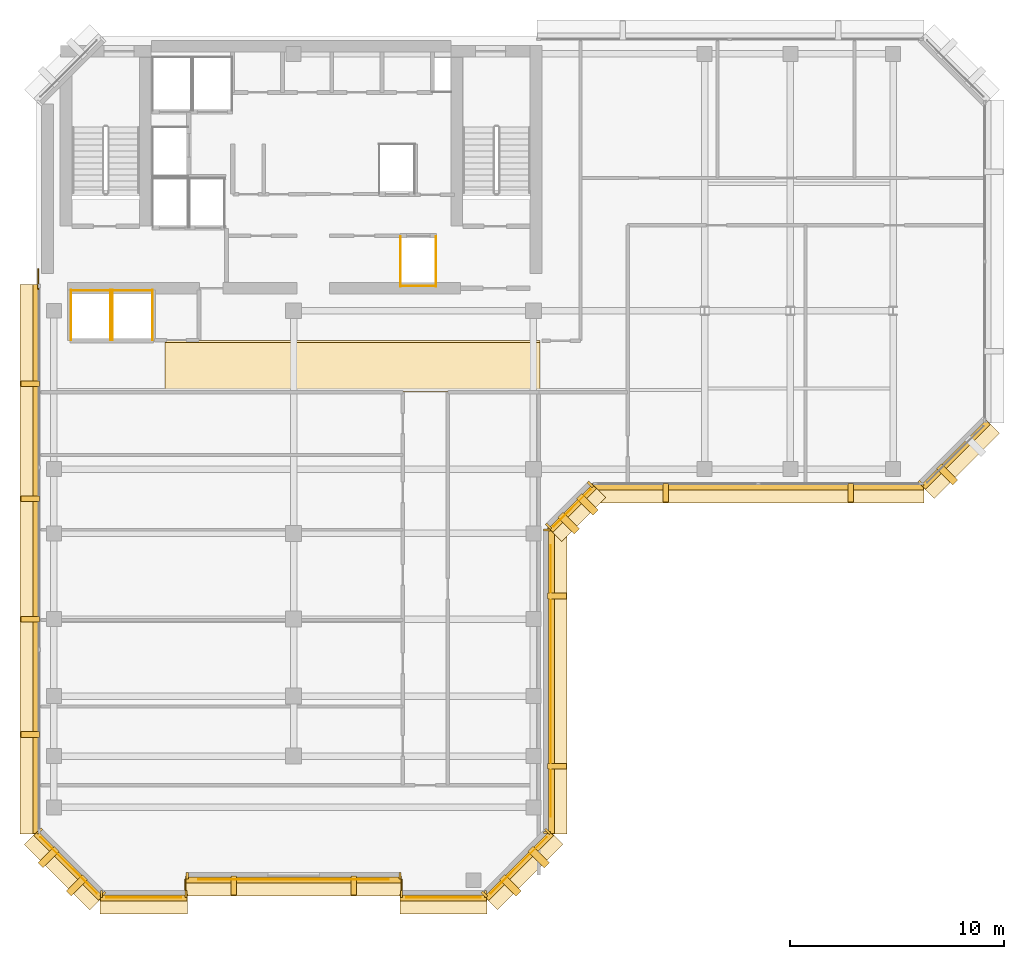
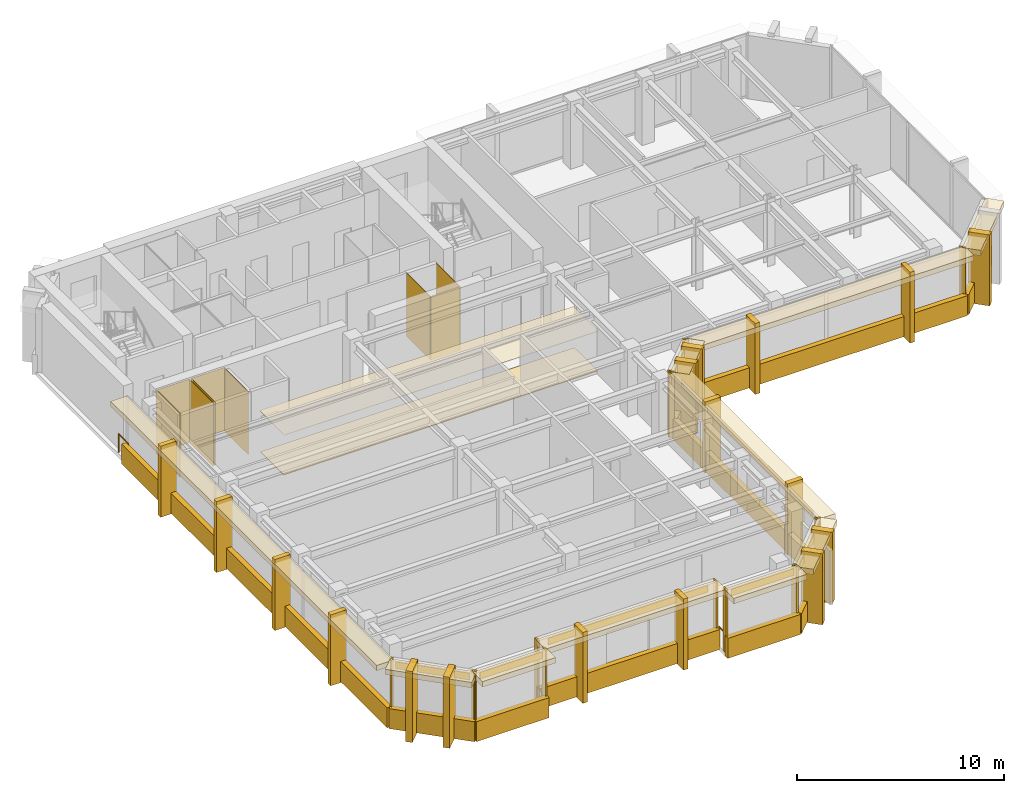
# One storey, part 10 of 13: 70 coverings, 3 railings.
"""IFC4 building model written with IfcOpenShell, lengths in metres."""

import ifcopenshell
import ifcopenshell.guid

model = None  # the IFC model being written
_history = None  # IfcOwnerHistory: only IFC2X3 demands one
_inside = {}  # id of a spatial element -> (the spatial element, [elements in it])
_under = {}  # id of a project, library or spatial element -> (it, [spatial elements below it])
_declared = {}  # id of a project -> (the project, [libraries it declares])
_typed = {}  # id of a type object -> (the type object, [elements of that type])
_made_of = {}  # id of a material, layer set ... -> (it, [elements and type objects made of it])


def new_model(schema):
    """Start an empty IFC model of exactly this schema.

    Asked for "IFC4X3", IfcOpenShell would pick the latest addendum, in which some entities
    have other attributes; the version numbers below select the first issue.
    IFC2X3 requires an IfcOwnerHistory on every rooted entity: one is made here for all.
    """
    global model, _history
    if schema == "IFC4X3":
        model = ifcopenshell.file(schema_version=(4, 3, 0, 0))
    else:
        model = ifcopenshell.file(schema=schema)
    _inside.clear()
    _under.clear()
    _declared.clear()
    _typed.clear()
    _made_of.clear()
    _history = None
    if model.schema == "IFC2X3":
        org = make("IfcOrganization", Name="unknown")
        user = make(
            "IfcPersonAndOrganization",
            ThePerson=make("IfcPerson", FamilyName="unknown"),
            TheOrganization=org,
        )
        app = make(
            "IfcApplication",
            ApplicationDeveloper=org,
            Version="unknown",
            ApplicationFullName="unknown",
            ApplicationIdentifier="unknown",
        )
        _history = make(
            "IfcOwnerHistory",
            OwningUser=user,
            OwningApplication=app,
            ChangeAction="ADDED",
            CreationDate=0,
        )
    return model


def make(cls, **values):
    """One entity of the class cls with the attributes given. An attribute that is None is left unset."""
    return model.create_entity(
        cls, **{name: value for name, value in values.items() if value is not None}
    )


def rooted(cls, **values):
    """An entity with a GlobalId (a new one), such as an element, a storey or a relation."""
    return make(cls, GlobalId=ifcopenshell.guid.new(), OwnerHistory=_history, **values)


def si_unit(unit_type, name, prefix=None):
    """IfcSIUnit, for example si_unit("LENGTHUNIT", "METRE", prefix="MILLI")."""
    return make("IfcSIUnit", UnitType=unit_type, Prefix=prefix, Name=name)


def assignment(units):
    """IfcUnitAssignment: the units of a project."""
    return None if units is None else make("IfcUnitAssignment", Units=units)


def point(xyz):
    """IfcCartesianPoint."""
    return None if xyz is None else make("IfcCartesianPoint", Coordinates=xyz)


def direction(xyz):
    """IfcDirection."""
    return None if xyz is None else make("IfcDirection", DirectionRatios=xyz)


def frame(location, z_axis=None, x_axis=None):
    """IfcAxis2Placement3D, a coordinate frame: its origin and axes. An axis left out is left unset."""
    return make(
        "IfcAxis2Placement3D",
        Location=point(location),
        Axis=direction(z_axis),
        RefDirection=direction(x_axis),
    )


def frame_2d(location, x_axis=None):
    """IfcAxis2Placement2D, a coordinate frame in the plane: its origin and x axis."""
    return make(
        "IfcAxis2Placement2D", Location=point(location), RefDirection=direction(x_axis)
    )


def origin():
    """The frame at (0, 0, 0) with its axes left unset."""
    return frame((0.0, 0.0, 0.0))


def origin_2d():
    """The frame at (0, 0) in the plane with its x axis left unset."""
    return frame_2d((0.0, 0.0))


def place(relative_to, where):
    """IfcLocalPlacement: puts the frame where relative to a parent placement (None: the world)."""
    return make(
        "IfcLocalPlacement", PlacementRelTo=relative_to, RelativePlacement=where
    )


def context(
    kind, dimensions, precision=None, world=None, true_north=None, identifier=None
):
    """IfcGeometricRepresentationContext, for example the 3D "Model" context."""
    return make(
        "IfcGeometricRepresentationContext",
        ContextIdentifier=identifier,
        ContextType=kind,
        CoordinateSpaceDimension=dimensions,
        Precision=precision,
        WorldCoordinateSystem=world,
        TrueNorth=true_north,
    )


def subcontext(parent, identifier, kind, view, scale=None):
    """IfcGeometricRepresentationSubContext, for example "Body" below "Model"."""
    return make(
        "IfcGeometricRepresentationSubContext",
        ContextIdentifier=identifier,
        ContextType=kind,
        ParentContext=parent,
        TargetScale=scale,
        TargetView=view,
    )


def project(units=None, contexts=None):
    """IfcProject with its units and contexts."""
    return rooted(
        "IfcProject",
        Name="project",
        RepresentationContexts=contexts,
        UnitsInContext=assignment(units),
    )


def spatial(cls, under=None, at=None, **own):
    """A site, building, storey or space (cls), placed at a placement, below another one or the project."""
    s = rooted(cls, ObjectPlacement=at, **own)
    if under is not None:
        _under.setdefault(under.id(), (under, []))[1].append(s)
    return s


def polyline(points):
    """IfcPolyline through the points."""
    return make("IfcPolyline", Points=[point(p) for p in points])


def profile(cls, at=None, kind="AREA", **sizes):
    """A parametric profile (cls). Its sizes go by their IFC names, for example OverallWidth=200.0."""
    return make(cls, ProfileType=kind, Position=at, **sizes)


def rectangle(**sizes):
    """IfcRectangleProfileDef."""
    return profile("IfcRectangleProfileDef", **sizes)


def circle(**sizes):
    """IfcCircleProfileDef."""
    return profile("IfcCircleProfileDef", **sizes)


def outline(outer, holes=None, kind="AREA"):
    """IfcArbitraryClosedProfileDef: a profile drawn as a closed curve; with holes, ...WithVoids."""
    if holes is None:
        return make("IfcArbitraryClosedProfileDef", ProfileType=kind, OuterCurve=outer)
    return make(
        "IfcArbitraryProfileDefWithVoids",
        ProfileType=kind,
        OuterCurve=outer,
        InnerCurves=holes,
    )


def extrude(swept, where, along, depth):
    """IfcExtrudedAreaSolid: the profile swept, set in the frame where, extruded along a direction by depth."""
    return make(
        "IfcExtrudedAreaSolid",
        SweptArea=swept,
        Position=where,
        ExtrudedDirection=direction(along),
        Depth=depth,
    )


def shape(context_of_items, identifier, shape_type, items):
    """IfcShapeRepresentation: the items that make up one representation, for example the "Body"."""
    return make(
        "IfcShapeRepresentation",
        ContextOfItems=context_of_items,
        RepresentationIdentifier=identifier,
        RepresentationType=shape_type,
        Items=items,
    )


def material(Name=None, Category=None):
    """IfcMaterial."""
    return make("IfcMaterial", Name=Name, Category=Category)


def layer(
    of_material, thickness, ventilated=None, Name=None, Category=None, Priority=None
):
    """IfcMaterialLayer: one layer of a wall or slab, of a material (None: an air gap)."""
    return make(
        "IfcMaterialLayer",
        Material=of_material,
        LayerThickness=thickness,
        IsVentilated=ventilated,
        Name=Name,
        Category=Category,
        Priority=Priority,
    )


def layer_set(layers, Name=None):
    """IfcMaterialLayerSet."""
    return make("IfcMaterialLayerSet", MaterialLayers=layers, LayerSetName=Name)


def made_of(thing, what):
    """Note that an element or type object is made of a material, layer set ...; save() writes the relation."""
    if what is not None:
        _made_of.setdefault(what.id(), (what, []))[1].append(thing)
    return thing


def type_object(cls, material=None, **own):
    """A type object (cls), such as IfcWallType, which elements share."""
    return made_of(rooted(cls, **own), material)


def element(
    cls,
    number,
    at=None,
    inside=None,
    cuts=None,
    type_object=None,
    material=None,
    context=None,
    identifier="Body",
    shape_type=None,
    held_by="IfcProductDefinitionShape",
    body=None,
    shapes=None,
    **own,
):
    """One element of the class cls, such as IfcWall. Its Tag is "e" and its number.

    at: its placement. inside: the storey or other place that contains it. cuts: it is an
    opening in that element (IfcRelVoidsElement). A single representation is given by context,
    identifier, shape_type and body (its items); several are given by shapes. held_by: the class
    of the entity that holds the representations. save() writes the other relations.
    """
    e = rooted(cls, Tag="e%d" % number, ObjectPlacement=at, **own)
    if body is not None:
        shapes = [shape(context, identifier, shape_type, body)]
    if shapes is not None:
        e.Representation = make(held_by, Representations=shapes)
    if inside is not None:
        _inside.setdefault(inside.id(), (inside, []))[1].append(e)
    if cuts is not None:
        rooted(
            "IfcRelVoidsElement", RelatingBuildingElement=cuts, RelatedOpeningElement=e
        )
    if type_object is not None:
        _typed.setdefault(type_object.id(), (type_object, []))[1].append(e)
    return made_of(e, material)


def aggregate(whole, parts):
    """IfcRelAggregates: a whole, such as a stair, and the parts it consists of."""
    return rooted("IfcRelAggregates", RelatingObject=whole, RelatedObjects=parts)


def save(model, path):
    """Write the relations noted so far, then the file.

    IfcRelAggregates (storeys below a building ...), IfcRelContainedInSpatialStructure (elements
    in a storey), IfcRelDefinesByType, IfcRelAssociatesMaterial and IfcRelDeclares: one each for
    every whole, place, type object, material and project.
    """
    for whole, parts in _under.values():
        aggregate(whole, parts)
    for where, things in _inside.values():
        rooted(
            "IfcRelContainedInSpatialStructure",
            RelatedElements=things,
            RelatingStructure=where,
        )
    for kind, things in _typed.values():
        rooted("IfcRelDefinesByType", RelatedObjects=things, RelatingType=kind)
    for what, things in _made_of.values():
        rooted("IfcRelAssociatesMaterial", RelatedObjects=things, RelatingMaterial=what)
    for by, libraries in _declared.values():
        rooted("IfcRelDeclares", RelatingContext=by, RelatedDefinitions=libraries)
    model.write(path)


model = new_model("IFC4")

# Units and contexts
model_context = context("Model", 3, precision=1e-05, world=origin(), true_north=direction((0.0, 1.0)))
body_context = subcontext(model_context, "Body", "Model", "MODEL_VIEW")
ifc_project = project(units=[si_unit("LENGTHUNIT", "METRE"), si_unit("AREAUNIT", "SQUARE_METRE"), si_unit("VOLUMEUNIT", "CUBIC_METRE"), si_unit("PLANEANGLEUNIT", "RADIAN"), si_unit("MASSUNIT", "GRAM", prefix="KILO")], contexts=[model_context])

# Site, building, storey
site_placement = place(None, origin())
site = spatial("IfcSite", under=ifc_project, at=site_placement, CompositionType="ELEMENT")
building_placement = place(site_placement, origin())
building = spatial("IfcBuilding", under=site, at=building_placement, Name="Kefirva Bronze Tower", CompositionType="ELEMENT")
storey_placement = place(building_placement, frame((0.0, 0.0, 311.85009765625)))
storey = spatial("IfcBuildingStorey", under=building, at=storey_placement, Name="L76", CompositionType="ELEMENT", Elevation=311.85009765625)

# Coverings
ifc_material_1 = material(Name="Acoustic mineral tile")
ifc_layer_1 = layer(ifc_material_1, 0.02490234375, Name="Acoustic mineral tile")
ifc_layer_set_1 = layer_set([ifc_layer_1], Name="Acoustic mineral tile")
covering_type_1 = type_object("IfcCoveringType", Name="Acoustic Mineral Suspended Ceiling 25mm", PredefinedType="CEILING", material=ifc_layer_set_1)
covering_1_placement = place(storey_placement, frame((0.0, 0.0, 2.39990234375)))
element("IfcCovering", 1, at=covering_1_placement, inside=storey, type_object=covering_type_1, Name="L76 Corridor Acoustic Ceiling", PredefinedType="CEILING", context=body_context, shape_type="SweptSolid", body=[
    extrude(outline(polyline([(6.0, 29.39990234375), (23.5, 29.39990234375), (23.5, 31.800048828125), (6.0, 31.800048828125), (6.0, 29.39990234375)])), origin(), (0.0, 0.0, 1.0), 0.02490234375),
])
ifc_material_2 = material(Name="Bronze anodised aluminium", Category="aluminium")
ifc_layer_2 = layer(ifc_material_2, 0.02001953125, Name="Bronze anodised aluminium")
ifc_layer_set_2 = layer_set([ifc_layer_2], Name="Bronze anodised aluminium")
covering_type_2 = type_object("IfcCoveringType", Name="Anodised Bronze Spandrel Cladding 20mm", PredefinedType="CLADDING", material=ifc_layer_set_2)
covering_2_placement = place(storey_placement, frame((5.0, 5.7900390625, 3.320068359375), z_axis=(0.0, 0.0, 1.0), x_axis=(1.0, 0.0, 0.0)))
element("IfcCovering", 2, at=covering_2_placement, inside=storey, type_object=covering_type_2, Name="L76 Bronze Spandrel Cladding 1", PredefinedType="CLADDING", context=body_context, shape_type="SweptSolid", body=[
    extrude(rectangle(XDim=3.5009765625, YDim=0.02001953125, at=origin_2d()), origin(), (0.0, 0.0, 1.0), 0.39990234375),
])
for number, where, z_axis, x_axis, name in (
    (3, (3.034912109375, 5.9599609375, 0.0), (0.0, 0.0, 1.0), (1.0, 0.0, 0.0), "L76 Facade Joint Closure Panel 1S"),
    (4, (6.965087890625, 5.9599609375, 0.0), (0.0, 0.0, 1.0), (1.0, 0.0, 0.0), "L76 Facade Joint Closure Panel 1E"),
):
    element("IfcCovering", number, at=place(storey_placement, frame(where, z_axis=z_axis, x_axis=x_axis)), inside=storey, type_object=covering_type_2, Name=name, PredefinedType="CLADDING", context=body_context, shape_type="SweptSolid", body=[
        extrude(rectangle(XDim=0.10009765625, YDim=0.320068359375, at=origin_2d()), origin(), (0.0, 0.0, 1.0), 3.739990234375),
    ])
covering_3_placement = place(storey_placement, frame((5.0, 5.760009765625, -0.16015625), z_axis=(0.0, 0.0, 1.0), x_axis=(1.0, 0.0, 0.0)))
element("IfcCovering", 5, at=covering_3_placement, inside=storey, type_object=covering_type_2, Name="L76 Streamline Horizontal Spandrel Band 0", PredefinedType="CLADDING", context=body_context, shape_type="SweptSolid", body=[
    extrude(rectangle(XDim=4.0400390625, YDim=0.280029296875, at=origin_2d()), origin(), (0.0, 0.0, 1.0), 1.179931640625),
])
covering_4_placement = place(storey_placement, frame((12.0, 6.639892578125, 3.320068359375), z_axis=(0.0, 0.0, 1.0), x_axis=(1.0, 0.0, 0.0)))
element("IfcCovering", 6, at=covering_4_placement, inside=storey, type_object=covering_type_2, Name="L76 Bronze Spandrel Cladding 2", PredefinedType="CLADDING", context=body_context, shape_type="SweptSolid", body=[
    extrude(rectangle(XDim=8.90087890625, YDim=0.02001953125, at=origin_2d()), origin(), (0.0, 0.0, 1.0), 0.39990234375),
])
for number, where, z_axis, x_axis, name in (
    (7, (7.034912109375, 6.81005859375, 0.0), (0.0, 0.0, 1.0), (1.0, 0.0, 0.0), "L76 Facade Joint Closure Panel 2S"),
    (8, (16.965087890625, 6.81005859375, 0.0), (0.0, 0.0, 1.0), (1.0, 0.0, 0.0), "L76 Facade Joint Closure Panel 2E"),
):
    element("IfcCovering", number, at=place(storey_placement, frame(where, z_axis=z_axis, x_axis=x_axis)), inside=storey, type_object=covering_type_2, Name=name, PredefinedType="CLADDING", context=body_context, shape_type="SweptSolid", body=[
        extrude(rectangle(XDim=0.10009765625, YDim=0.320068359375, at=origin_2d()), origin(), (0.0, 0.0, 1.0), 3.739990234375),
    ])
covering_5_placement = place(storey_placement, frame((12.0, 6.610107421875, -0.16015625), z_axis=(0.0, 0.0, 1.0), x_axis=(1.0, 0.0, 0.0)))
element("IfcCovering", 9, at=covering_5_placement, inside=storey, type_object=covering_type_2, Name="L76 Streamline Horizontal Spandrel Band 2", PredefinedType="CLADDING", context=body_context, shape_type="SweptSolid", body=[
    extrude(rectangle(XDim=10.0400390625, YDim=0.280029296875, at=origin_2d()), origin(), (0.0, 0.0, 1.0), 1.179931640625),
])
covering_6_placement = place(storey_placement, frame((19.0, 5.7900390625, 3.320068359375), z_axis=(0.0, 0.0, 1.0), x_axis=(1.0, 0.0, 0.0)))
element("IfcCovering", 10, at=covering_6_placement, inside=storey, type_object=covering_type_2, Name="L76 Bronze Spandrel Cladding 3", PredefinedType="CLADDING", context=body_context, shape_type="SweptSolid", body=[
    extrude(rectangle(XDim=3.5009765625, YDim=0.02001953125, at=origin_2d()), origin(), (0.0, 0.0, 1.0), 0.39990234375),
])
for number, where, z_axis, x_axis, name in (
    (11, (17.034912109375, 5.9599609375, 0.0), (0.0, 0.0, 1.0), (1.0, 0.0, 0.0), "L76 Facade Joint Closure Panel 3S"),
    (12, (20.965087890625, 5.9599609375, 0.0), (0.0, 0.0, 1.0), (1.0, 0.0, 0.0), "L76 Facade Joint Closure Panel 3E"),
):
    element("IfcCovering", number, at=place(storey_placement, frame(where, z_axis=z_axis, x_axis=x_axis)), inside=storey, type_object=covering_type_2, Name=name, PredefinedType="CLADDING", context=body_context, shape_type="SweptSolid", body=[
        extrude(rectangle(XDim=0.10009765625, YDim=0.320068359375, at=origin_2d()), origin(), (0.0, 0.0, 1.0), 3.739990234375),
    ])
covering_7_placement = place(storey_placement, frame((19.0, 5.760009765625, -0.16015625), z_axis=(0.0, 0.0, 1.0), x_axis=(1.0, 0.0, 0.0)))
element("IfcCovering", 13, at=covering_7_placement, inside=storey, type_object=covering_type_2, Name="L76 Streamline Horizontal Spandrel Band 4", PredefinedType="CLADDING", context=body_context, shape_type="SweptSolid", body=[
    extrude(rectangle(XDim=4.0400390625, YDim=0.280029296875, at=origin_2d()), origin(), (0.0, 0.0, 1.0), 1.179931640625),
])
covering_8_placement = place(storey_placement, frame((22.507080078125, 7.29296875, 3.320068359375), z_axis=(0.0, 0.0, 1.0), x_axis=(0.707106781187, 0.707106781187, 0.0)))
element("IfcCovering", 14, at=covering_8_placement, inside=storey, type_object=covering_type_2, Name="L76 Bronze Spandrel Cladding 4", PredefinedType="CLADDING", context=body_context, shape_type="SweptSolid", body=[
    extrude(rectangle(XDim=3.719482421875, YDim=0.02001953125, at=origin_2d()), origin(), (0.0, 0.0, 1.0), 0.39990234375),
])
for number, where, z_axis, x_axis, name in (
    (15, (20.91162109375, 5.93798828125, 0.0), (0.0, 0.0, 1.0), (0.707106781187, 0.707106781187, 0.0), "L76 Facade Joint Closure Panel 4S"),
    (16, (23.862060546875, 8.88818359375, 0.0), (0.0, 0.0, 1.0), (0.707106781187, 0.707106781187, 0.0), "L76 Facade Joint Closure Panel 4E"),
):
    element("IfcCovering", number, at=place(storey_placement, frame(where, z_axis=z_axis, x_axis=x_axis)), inside=storey, type_object=covering_type_2, Name=name, PredefinedType="CLADDING", context=body_context, shape_type="SweptSolid", body=[
        extrude(rectangle(XDim=0.10009765625, YDim=0.320068359375, at=origin_2d()), origin(), (0.0, 0.0, 1.0), 3.739990234375),
    ])
covering_9_placement = place(storey_placement, frame((22.5283203125, 7.271728515625, -0.16015625), z_axis=(0.0, 0.0, 1.0), x_axis=(0.707106781187, 0.707106781187, 0.0)))
element("IfcCovering", 17, at=covering_9_placement, inside=storey, type_object=covering_type_2, Name="L76 Streamline Horizontal Spandrel Band 5", PredefinedType="CLADDING", context=body_context, shape_type="SweptSolid", body=[
    extrude(rectangle(XDim=4.28271484375, YDim=0.280029296875, at=origin_2d()), origin(), (0.0, 0.0, 1.0), 1.179931640625),
])
covering_10_placement = place(storey_placement, frame((24.010009765625, 15.89990234375, 3.320068359375), z_axis=(0.0, 0.0, 1.0), x_axis=(0.0, 1.0, 0.0)))
element("IfcCovering", 18, at=covering_10_placement, inside=storey, type_object=covering_type_2, Name="L76 Bronze Spandrel Cladding 5", PredefinedType="CLADDING", context=body_context, shape_type="SweptSolid", body=[
    extrude(rectangle(XDim=12.680908203125, YDim=0.02001953125, at=origin_2d()), origin(), (0.0, 0.0, 1.0), 0.39990234375),
])
for number, where, z_axis, x_axis, name in (
    (19, (23.840087890625, 8.8349609375, 0.0), (0.0, 0.0, 1.0), (0.0, 1.0, 0.0), "L76 Facade Joint Closure Panel 5S"),
    (20, (23.840087890625, 22.965087890625, 0.0), (0.0, 0.0, 1.0), (0.0, 1.0, 0.0), "L76 Facade Joint Closure Panel 5E"),
):
    element("IfcCovering", number, at=place(storey_placement, frame(where, z_axis=z_axis, x_axis=x_axis)), inside=storey, type_object=covering_type_2, Name=name, PredefinedType="CLADDING", context=body_context, shape_type="SweptSolid", body=[
        extrude(rectangle(XDim=0.10009765625, YDim=0.320068359375, at=origin_2d()), origin(), (0.0, 0.0, 1.0), 3.739990234375),
    ])
covering_11_placement = place(storey_placement, frame((24.0400390625, 15.89990234375, -0.16015625), z_axis=(0.0, 0.0, 1.0), x_axis=(0.0, 1.0, 0.0)))
element("IfcCovering", 21, at=covering_11_placement, inside=storey, type_object=covering_type_2, Name="L76 Streamline Horizontal Spandrel Band 6", PredefinedType="CLADDING", context=body_context, shape_type="SweptSolid", body=[
    extrude(rectangle(XDim=14.239990234375, YDim=0.280029296875, at=origin_2d()), origin(), (0.0, 0.0, 1.0), 1.179931640625),
])
covering_12_placement = place(storey_placement, frame((25.007080078125, 23.992919921875, 3.320068359375), z_axis=(0.0, 0.0, 1.0), x_axis=(0.707106781187, 0.707106781187, 0.0)))
element("IfcCovering", 22, at=covering_12_placement, inside=storey, type_object=covering_type_2, Name="L76 Bronze Spandrel Cladding 6", PredefinedType="CLADDING", context=body_context, shape_type="SweptSolid", body=[
    extrude(rectangle(XDim=2.446533203125, YDim=0.02001953125, at=origin_2d()), origin(), (0.0, 0.0, 1.0), 0.39990234375),
])
for number, where, z_axis, x_axis, name in (
    (23, (23.91162109375, 23.137939453125, 0.0), (0.0, 0.0, 1.0), (0.707106781187, 0.707106781187, 0.0), "L76 Facade Joint Closure Panel 6S"),
    (24, (25.862060546875, 25.08837890625, 0.0), (0.0, 0.0, 1.0), (0.707106781187, 0.707106781187, 0.0), "L76 Facade Joint Closure Panel 6E"),
):
    element("IfcCovering", number, at=place(storey_placement, frame(where, z_axis=z_axis, x_axis=x_axis)), inside=storey, type_object=covering_type_2, Name=name, PredefinedType="CLADDING", context=body_context, shape_type="SweptSolid", body=[
        extrude(rectangle(XDim=0.10009765625, YDim=0.320068359375, at=origin_2d()), origin(), (0.0, 0.0, 1.0), 3.739990234375),
    ])
covering_13_placement = place(storey_placement, frame((25.0283203125, 23.9716796875, -0.16015625), z_axis=(0.0, 0.0, 1.0), x_axis=(0.707106781187, 0.707106781187, 0.0)))
element("IfcCovering", 25, at=covering_13_placement, inside=storey, type_object=covering_type_2, Name="L76 Streamline Horizontal Spandrel Band 7", PredefinedType="CLADDING", context=body_context, shape_type="SweptSolid", body=[
    extrude(rectangle(XDim=2.868408203125, YDim=0.280029296875, at=origin_2d()), origin(), (0.0, 0.0, 1.0), 1.179931640625),
])
covering_14_placement = place(storey_placement, frame((33.699951171875, 24.9599609375, -0.16015625), z_axis=(0.0, 0.0, 1.0), x_axis=(1.0, 0.0, 0.0)))
element("IfcCovering", 26, at=covering_14_placement, inside=storey, type_object=covering_type_2, Name="L76 Streamline Horizontal Spandrel Band 8", PredefinedType="CLADDING", context=body_context, shape_type="SweptSolid", body=[
    extrude(rectangle(XDim=15.43994140625, YDim=0.280029296875, at=origin_2d()), origin(), (0.0, 0.0, 1.0), 1.179931640625),
])
covering_15_placement = place(storey_placement, frame((41.311767578125, 25.137939453125, 0.0), z_axis=(0.0, 0.0, 1.0), x_axis=(0.707106781187, 0.707106781187, 0.0)))
element("IfcCovering", 27, at=covering_15_placement, inside=storey, type_object=covering_type_2, Name="L76 Facade Joint Closure Panel 7S", PredefinedType="CLADDING", context=body_context, shape_type="SweptSolid", body=[
    extrude(rectangle(XDim=0.10009765625, YDim=0.320068359375, at=origin_2d()), origin(), (0.0, 0.0, 1.0), 3.739990234375),
])
covering_16_placement = place(storey_placement, frame((42.92822265625, 26.4716796875, -0.16015625), z_axis=(0.0, 0.0, 1.0), x_axis=(0.707106781187, 0.707106781187, 0.0)))
element("IfcCovering", 28, at=covering_16_placement, inside=storey, type_object=covering_type_2, Name="L76 Streamline Horizontal Spandrel Band 9", PredefinedType="CLADDING", context=body_context, shape_type="SweptSolid", body=[
    extrude(rectangle(XDim=4.28271484375, YDim=0.280029296875, at=origin_2d()), origin(), (0.0, 0.0, 1.0), 1.179931640625),
])
covering_17_placement = place(storey_placement, frame((-0.0400390625, 21.597412109375, -0.16015625), z_axis=(0.0, 0.0, 1.0), x_axis=(0.0, -1.0, 0.0)))
element("IfcCovering", 29, at=covering_17_placement, inside=storey, type_object=covering_type_2, Name="L76 Streamline Horizontal Spandrel Band 14", PredefinedType="CLADDING", context=body_context, shape_type="SweptSolid", body=[
    extrude(rectangle(XDim=25.635009765625, YDim=0.280029296875, at=origin_2d()), origin(), (0.0, 0.0, 1.0), 1.179931640625),
])
covering_18_placement = place(storey_placement, frame((1.492919921875, 7.29296875, 3.320068359375), z_axis=(0.0, 0.0, 1.0), x_axis=(0.707106781187, -0.707106781187, 0.0)))
element("IfcCovering", 30, at=covering_18_placement, inside=storey, type_object=covering_type_2, Name="L76 Bronze Spandrel Cladding 10", PredefinedType="CLADDING", context=body_context, shape_type="SweptSolid", body=[
    extrude(rectangle(XDim=3.719482421875, YDim=0.02001953125, at=origin_2d()), origin(), (0.0, 0.0, 1.0), 0.39990234375),
])
for number, where, z_axis, x_axis, name in (
    (31, (0.137939453125, 8.88818359375, 0.0), (0.0, 0.0, 1.0), (0.707106781187, -0.707106781187, 0.0), "L76 Facade Joint Closure Panel 10S"),
    (32, (3.08837890625, 5.93798828125, 0.0), (0.0, 0.0, 1.0), (0.707106781187, -0.707106781187, 0.0), "L76 Facade Joint Closure Panel 10E"),
):
    element("IfcCovering", number, at=place(storey_placement, frame(where, z_axis=z_axis, x_axis=x_axis)), inside=storey, type_object=covering_type_2, Name=name, PredefinedType="CLADDING", context=body_context, shape_type="SweptSolid", body=[
        extrude(rectangle(XDim=0.10009765625, YDim=0.320068359375, at=origin_2d()), origin(), (0.0, 0.0, 1.0), 3.739990234375),
    ])
covering_19_placement = place(storey_placement, frame((1.4716796875, 7.271728515625, -0.16015625), z_axis=(0.0, 0.0, 1.0), x_axis=(0.707106781187, -0.707106781187, 0.0)))
element("IfcCovering", 33, at=covering_19_placement, inside=storey, type_object=covering_type_2, Name="L76 Streamline Horizontal Spandrel Band 15", PredefinedType="CLADDING", context=body_context, shape_type="SweptSolid", body=[
    extrude(rectangle(XDim=4.28271484375, YDim=0.280029296875, at=origin_2d()), origin(), (0.0, 0.0, 1.0), 1.179931640625),
])
covering_20_placement = place(storey_placement, origin())
element("IfcCovering", 34, at=covering_20_placement, inside=storey, type_object=covering_type_2, Name="L76 Lift OB1 Hoistway Liner N", PredefinedType="CLADDING", context=body_context, shape_type="SweptSolid", body=[
    extrude(outline(polyline([(1.580078125, 34.139892578125), (3.469970703125, 34.139892578125), (3.469970703125, 34.159912109375), (1.580078125, 34.159912109375), (1.580078125, 34.139892578125)])), origin(), (0.0, 0.0, 1.0), 3.739990234375),
])
covering_21_placement = place(storey_placement, origin())
element("IfcCovering", 35, at=covering_21_placement, inside=storey, type_object=covering_type_2, Name="L76 Lift OB1 Hoistway Liner W", PredefinedType="CLADDING", context=body_context, shape_type="SweptSolid", body=[
    extrude(outline(polyline([(1.590087890625, 31.830078125), (1.610107421875, 31.830078125), (1.610107421875, 34.169921875), (1.590087890625, 34.169921875), (1.590087890625, 31.830078125)])), origin(), (0.0, 0.0, 1.0), 3.739990234375),
])
covering_22_placement = place(storey_placement, origin())
element("IfcCovering", 36, at=covering_22_placement, inside=storey, type_object=covering_type_2, Name="L76 Lift OB1 Hoistway Liner E", PredefinedType="CLADDING", context=body_context, shape_type="SweptSolid", body=[
    extrude(outline(polyline([(3.43994140625, 31.830078125), (3.4599609375, 31.830078125), (3.4599609375, 34.169921875), (3.43994140625, 34.169921875), (3.43994140625, 31.830078125)])), origin(), (0.0, 0.0, 1.0), 3.739990234375),
])
covering_23_placement = place(storey_placement, origin())
element("IfcCovering", 37, at=covering_23_placement, inside=storey, type_object=covering_type_2, Name="L76 Lift OB2 Hoistway Liner N", PredefinedType="CLADDING", context=body_context, shape_type="SweptSolid", body=[
    extrude(outline(polyline([(3.530029296875, 34.139892578125), (5.419921875, 34.139892578125), (5.419921875, 34.159912109375), (3.530029296875, 34.159912109375), (3.530029296875, 34.139892578125)])), origin(), (0.0, 0.0, 1.0), 3.739990234375),
])
covering_24_placement = place(storey_placement, origin())
element("IfcCovering", 38, at=covering_24_placement, inside=storey, type_object=covering_type_2, Name="L76 Lift OB2 Hoistway Liner W", PredefinedType="CLADDING", context=body_context, shape_type="SweptSolid", body=[
    extrude(outline(polyline([(3.5400390625, 31.830078125), (3.56005859375, 31.830078125), (3.56005859375, 34.169921875), (3.5400390625, 34.169921875), (3.5400390625, 31.830078125)])), origin(), (0.0, 0.0, 1.0), 3.739990234375),
])
covering_25_placement = place(storey_placement, origin())
element("IfcCovering", 39, at=covering_25_placement, inside=storey, type_object=covering_type_2, Name="L76 Lift OB2 Hoistway Liner E", PredefinedType="CLADDING", context=body_context, shape_type="SweptSolid", body=[
    extrude(outline(polyline([(5.389892578125, 31.830078125), (5.409912109375, 31.830078125), (5.409912109375, 34.169921875), (5.389892578125, 34.169921875), (5.389892578125, 31.830078125)])), origin(), (0.0, 0.0, 1.0), 3.739990234375),
])
covering_26_placement = place(storey_placement, origin())
element("IfcCovering", 40, at=covering_26_placement, inside=storey, type_object=covering_type_2, Name="L76 Lift HP1 Hoistway Liner S", PredefinedType="CLADDING", context=body_context, shape_type="SweptSolid", body=[
    extrude(outline(polyline([(16.97998046875, 34.340087890625), (18.669921875, 34.340087890625), (18.669921875, 34.360107421875), (16.97998046875, 34.360107421875), (16.97998046875, 34.340087890625)])), origin(), (0.0, 0.0, 1.0), 3.739990234375),
])
covering_27_placement = place(storey_placement, origin())
element("IfcCovering", 41, at=covering_27_placement, inside=storey, type_object=covering_type_2, Name="L76 Lift HP1 Hoistway Liner W", PredefinedType="CLADDING", context=body_context, shape_type="SweptSolid", body=[
    extrude(outline(polyline([(16.989990234375, 34.330078125), (17.010009765625, 34.330078125), (17.010009765625, 36.669921875), (16.989990234375, 36.669921875), (16.989990234375, 34.330078125)])), origin(), (0.0, 0.0, 1.0), 3.739990234375),
])
covering_28_placement = place(storey_placement, origin())
element("IfcCovering", 42, at=covering_28_placement, inside=storey, type_object=covering_type_2, Name="L76 Lift HP1 Hoistway Liner E", PredefinedType="CLADDING", context=body_context, shape_type="SweptSolid", body=[
    extrude(outline(polyline([(18.639892578125, 34.330078125), (18.659912109375, 34.330078125), (18.659912109375, 36.669921875), (18.639892578125, 36.669921875), (18.639892578125, 34.330078125)])), origin(), (0.0, 0.0, 1.0), 3.739990234375),
])

# Railings
ifc_material_3 = material(Name="Stainless steel 316", Category="steel")
railing_type = type_object("IfcRailingType", Name="Interior Stair Guardrail 1100mm", PredefinedType="GUARDRAIL", material=ifc_material_3)
railing_1_placement = place(storey_placement, frame((0.080078125, 34.199951171875, 0.0)))
element("IfcRailing", 43, at=railing_1_placement, inside=storey, type_object=railing_type, Name="L76 West Core Junction Guardrail", PredefinedType="GUARDRAIL", context=body_context, shape_type="SweptSolid", body=[
    extrude(circle(Radius=0.02392578125, at=origin_2d()), frame((0.0, 0.0, 1.076171875), z_axis=(0.0, 1.0, 0.0), x_axis=(-1.0, 0.0, 0.0)), (0.0, 0.0, 1.0), 0.949951171875),
    extrude(circle(Radius=0.02099609375, at=origin_2d()), origin(), (0.0, 0.0, 1.0), 1.052001953125),
    extrude(circle(Radius=0.02099609375, at=origin_2d()), frame((0.0, 0.949951171875, 0.0)), (0.0, 0.0, 1.0), 1.052001953125),
])
railing_2_placement = place(storey_placement, frame((17.06005859375, 6.14990234375, 0.0)))
element("IfcRailing", 44, at=railing_2_placement, inside=storey, type_object=railing_type, Name="L76 Setback Corner Guardrail SB1", PredefinedType="GUARDRAIL", context=body_context, shape_type="SweptSolid", body=[
    extrude(circle(Radius=0.02392578125, at=origin_2d()), frame((0.0, 0.0, 1.076171875), z_axis=(0.0, 1.0, 0.0), x_axis=(-1.0, 0.0, 0.0)), (0.0, 0.0, 1.0), 0.47021484375),
    extrude(circle(Radius=0.02099609375, at=origin_2d()), origin(), (0.0, 0.0, 1.0), 1.052001953125),
    extrude(circle(Radius=0.02099609375, at=origin_2d()), frame((0.0, 0.47021484375, 0.0)), (0.0, 0.0, 1.0), 1.052001953125),
])
railing_3_placement = place(storey_placement, frame((6.93994140625, 6.14990234375, 0.0)))
element("IfcRailing", 45, at=railing_3_placement, inside=storey, type_object=railing_type, Name="L76 Setback Corner Guardrail SB2", PredefinedType="GUARDRAIL", context=body_context, shape_type="SweptSolid", body=[
    extrude(circle(Radius=0.02392578125, at=origin_2d()), frame((0.0, 0.0, 1.076171875), z_axis=(0.0, 1.0, 0.0), x_axis=(-1.0, 0.0, 0.0)), (0.0, 0.0, 1.0), 0.489990234375),
    extrude(circle(Radius=0.02099609375, at=origin_2d()), origin(), (0.0, 0.0, 1.0), 1.052001953125),
    extrude(circle(Radius=0.02099609375, at=origin_2d()), frame((0.0, 0.489990234375, 0.0)), (0.0, 0.0, 1.0), 1.052001953125),
])

# Coverings
ifc_material_4 = material(Name="Calcium sulphate access tile")
ifc_layer_3 = layer(ifc_material_4, 0.044921875, Name="Calcium sulphate access tile")
ifc_layer_set_3 = layer_set([ifc_layer_3], Name="Calcium sulphate access tile")
covering_type_3 = type_object("IfcCoveringType", Name="Raised Access Office Flooring 45mm", PredefinedType="FLOORING", material=ifc_layer_set_3)
covering_29_placement = place(storey_placement, origin())
element("IfcCovering", 46, at=covering_29_placement, inside=storey, type_object=covering_type_3, Name="L76 Architectural Finish Flooring", PredefinedType="FLOORING", context=body_context, shape_type="SweptSolid", body=[
    extrude(outline(polyline([(6.0, 29.47998046875), (23.5, 29.47998046875), (23.5, 31.719970703125), (6.0, 31.719970703125), (6.0, 29.47998046875)])), origin(), (0.0, 0.0, 1.0), 0.044921875),
])
ifc_layer_4 = layer(ifc_material_2, 0.179931640625, Name="Bronze anodised aluminium")
ifc_layer_set_4 = layer_set([ifc_layer_4], Name="Bronze anodised aluminium")
covering_type_4 = type_object("IfcCoveringType", Name="Streamline Bronze Sunshade Eyebrow Cladding 180mm", PredefinedType="CLADDING", material=ifc_layer_set_4)
covering_30_placement = place(storey_placement, frame((5.0, 5.489990234375, 3.419921875), z_axis=(0.0, 0.0, 1.0), x_axis=(1.0, 0.0, 0.0)))
element("IfcCovering", 47, at=covering_30_placement, inside=storey, type_object=covering_type_4, Name="L76 Streamline Bronze Sunshade Eyebrow 0", PredefinedType="CLADDING", context=body_context, shape_type="SweptSolid", body=[
    extrude(rectangle(XDim=4.080078125, YDim=0.93994140625, at=origin_2d()), origin(), (0.0, 0.0, 1.0), 0.320068359375),
])
covering_31_placement = place(storey_placement, frame((12.0, 6.340087890625, 3.419921875), z_axis=(0.0, 0.0, 1.0), x_axis=(1.0, 0.0, 0.0)))
element("IfcCovering", 48, at=covering_31_placement, inside=storey, type_object=covering_type_4, Name="L76 Streamline Bronze Sunshade Eyebrow 2", PredefinedType="CLADDING", context=body_context, shape_type="SweptSolid", body=[
    extrude(rectangle(XDim=10.080078125, YDim=0.93994140625, at=origin_2d()), origin(), (0.0, 0.0, 1.0), 0.320068359375),
])
covering_32_placement = place(storey_placement, frame((19.0, 5.489990234375, 3.419921875), z_axis=(0.0, 0.0, 1.0), x_axis=(1.0, 0.0, 0.0)))
element("IfcCovering", 49, at=covering_32_placement, inside=storey, type_object=covering_type_4, Name="L76 Streamline Bronze Sunshade Eyebrow 4", PredefinedType="CLADDING", context=body_context, shape_type="SweptSolid", body=[
    extrude(rectangle(XDim=4.080078125, YDim=0.93994140625, at=origin_2d()), origin(), (0.0, 0.0, 1.0), 0.320068359375),
])
covering_33_placement = place(storey_placement, frame((22.71923828125, 7.080810546875, 3.419921875), z_axis=(0.0, 0.0, 1.0), x_axis=(0.707106781187, 0.707106781187, 0.0)))
element("IfcCovering", 50, at=covering_33_placement, inside=storey, type_object=covering_type_4, Name="L76 Streamline Bronze Sunshade Eyebrow 5", PredefinedType="CLADDING", context=body_context, shape_type="SweptSolid", body=[
    extrude(rectangle(XDim=4.322509765625, YDim=0.93994140625, at=origin_2d()), origin(), (0.0, 0.0, 1.0), 0.320068359375),
])
covering_34_placement = place(storey_placement, frame((24.31005859375, 15.89990234375, 3.419921875), z_axis=(0.0, 0.0, 1.0), x_axis=(0.0, 1.0, 0.0)))
element("IfcCovering", 51, at=covering_34_placement, inside=storey, type_object=covering_type_4, Name="L76 Streamline Bronze Sunshade Eyebrow 6", PredefinedType="CLADDING", context=body_context, shape_type="SweptSolid", body=[
    extrude(rectangle(XDim=14.280029296875, YDim=0.93994140625, at=origin_2d()), origin(), (0.0, 0.0, 1.0), 0.320068359375),
])
covering_35_placement = place(storey_placement, frame((25.21923828125, 23.78076171875, 3.419921875), z_axis=(0.0, 0.0, 1.0), x_axis=(0.707106781187, 0.707106781187, 0.0)))
element("IfcCovering", 52, at=covering_35_placement, inside=storey, type_object=covering_type_4, Name="L76 Streamline Bronze Sunshade Eyebrow 7", PredefinedType="CLADDING", context=body_context, shape_type="SweptSolid", body=[
    extrude(rectangle(XDim=2.908447265625, YDim=0.93994140625, at=origin_2d()), origin(), (0.0, 0.0, 1.0), 0.320068359375),
])
covering_36_placement = place(storey_placement, frame((33.699951171875, 24.68994140625, 3.419921875), z_axis=(0.0, 0.0, 1.0), x_axis=(1.0, 0.0, 0.0)))
element("IfcCovering", 53, at=covering_36_placement, inside=storey, type_object=covering_type_4, Name="L76 Streamline Bronze Sunshade Eyebrow 8", PredefinedType="CLADDING", context=body_context, shape_type="SweptSolid", body=[
    extrude(rectangle(XDim=15.47998046875, YDim=0.93994140625, at=origin_2d()), origin(), (0.0, 0.0, 1.0), 0.320068359375),
])
covering_37_placement = place(storey_placement, frame((43.119140625, 26.28076171875, 3.419921875), z_axis=(0.0, 0.0, 1.0), x_axis=(0.707106781187, 0.707106781187, 0.0)))
element("IfcCovering", 54, at=covering_37_placement, inside=storey, type_object=covering_type_4, Name="L76 Streamline Bronze Sunshade Eyebrow 9", PredefinedType="CLADDING", context=body_context, shape_type="SweptSolid", body=[
    extrude(rectangle(XDim=4.322509765625, YDim=0.93994140625, at=origin_2d()), origin(), (0.0, 0.0, 1.0), 0.320068359375),
])
covering_38_placement = place(storey_placement, frame((-0.31005859375, 21.597412109375, 3.419921875), z_axis=(0.0, 0.0, 1.0), x_axis=(0.0, -1.0, 0.0)))
element("IfcCovering", 55, at=covering_38_placement, inside=storey, type_object=covering_type_4, Name="L76 Streamline Bronze Sunshade Eyebrow 14", PredefinedType="CLADDING", context=body_context, shape_type="SweptSolid", body=[
    extrude(rectangle(XDim=25.675048828125, YDim=0.93994140625, at=origin_2d()), origin(), (0.0, 0.0, 1.0), 0.320068359375),
])
covering_39_placement = place(storey_placement, frame((1.28076171875, 7.080810546875, 3.419921875), z_axis=(0.0, 0.0, 1.0), x_axis=(0.707106781187, -0.707106781187, 0.0)))
element("IfcCovering", 56, at=covering_39_placement, inside=storey, type_object=covering_type_4, Name="L76 Streamline Bronze Sunshade Eyebrow 15", PredefinedType="CLADDING", context=body_context, shape_type="SweptSolid", body=[
    extrude(rectangle(XDim=4.322509765625, YDim=0.93994140625, at=origin_2d()), origin(), (0.0, 0.0, 1.0), 0.320068359375),
])
ifc_layer_5 = layer(ifc_material_2, 0.260009765625, Name="Bronze anodised aluminium")
ifc_layer_set_5 = layer_set([ifc_layer_5], Name="Bronze anodised aluminium")
covering_type_5 = type_object("IfcCoveringType", Name="Unbroken Bronze Buttress Fin Cladding 260mm", PredefinedType="CLADDING", material=ifc_layer_set_5)
for number, where, z_axis, x_axis, name in (
    (57, (9.199951171875, 6.35009765625, -0.22021484375), (0.0, 0.0, 1.0), (1.0, 0.0, 0.0), "L76 Unbroken Vertical Bronze Rib Fin 1"),
    (58, (14.800048828125, 6.35009765625, -0.22021484375), (0.0, 0.0, 1.0), (1.0, 0.0, 0.0), "L76 Unbroken Vertical Bronze Rib Fin 2"),
):
    element("IfcCovering", number, at=place(storey_placement, frame(where, z_axis=z_axis, x_axis=x_axis)), inside=storey, type_object=covering_type_5, Name=name, PredefinedType="CLADDING", context=body_context, shape_type="SweptSolid", body=[
        extrude(rectangle(XDim=0.260009765625, YDim=0.8798828125, at=origin_2d()), origin(), (0.0, 0.0, 1.0), 4.179931640625),
    ])
for number, where, z_axis, x_axis, name in (
    (59, (22.122802734375, 6.357177734375, -0.22021484375), (0.0, 0.0, 1.0), (0.707106781187, 0.707106781187, 0.0), "L76 Chamfered Corner Buttress Fin Cladding 3"),
    (60, (23.44287109375, 7.67724609375, -0.22021484375), (0.0, 0.0, 1.0), (0.707106781187, 0.707106781187, 0.0), "L76 Chamfered Corner Buttress Fin Cladding 4"),
):
    element("IfcCovering", number, at=place(storey_placement, frame(where, z_axis=z_axis, x_axis=x_axis)), inside=storey, type_object=covering_type_5, Name=name, PredefinedType="CLADDING", context=body_context, shape_type="SweptSolid", body=[
        extrude(rectangle(XDim=0.340087890625, YDim=1.080078125, at=origin_2d()), origin(), (0.0, 0.0, 1.0), 4.179931640625),
    ])
for number, where, z_axis, x_axis, name in (
    (61, (24.300048828125, 11.924072265625, -0.22021484375), (0.0, 0.0, 1.0), (0.0, 1.0, 0.0), "L76 Unbroken Vertical Bronze Rib Fin 5"),
    (62, (24.300048828125, 19.8759765625, -0.22021484375), (0.0, 0.0, 1.0), (0.0, 1.0, 0.0), "L76 Unbroken Vertical Bronze Rib Fin 6"),
):
    element("IfcCovering", number, at=place(storey_placement, frame(where, z_axis=z_axis, x_axis=x_axis)), inside=storey, type_object=covering_type_5, Name=name, PredefinedType="CLADDING", context=body_context, shape_type="SweptSolid", body=[
        extrude(rectangle(XDim=0.260009765625, YDim=0.8798828125, at=origin_2d()), origin(), (0.0, 0.0, 1.0), 4.179931640625),
    ])
for number, where, z_axis, x_axis, name in (
    (63, (24.8427734375, 23.277099609375, -0.22021484375), (0.0, 0.0, 1.0), (0.707106781187, 0.707106781187, 0.0), "L76 Chamfered Corner Buttress Fin Cladding 7"),
    (64, (25.722900390625, 24.1572265625, -0.22021484375), (0.0, 0.0, 1.0), (0.707106781187, 0.707106781187, 0.0), "L76 Chamfered Corner Buttress Fin Cladding 8"),
):
    element("IfcCovering", number, at=place(storey_placement, frame(where, z_axis=z_axis, x_axis=x_axis)), inside=storey, type_object=covering_type_5, Name=name, PredefinedType="CLADDING", context=body_context, shape_type="SweptSolid", body=[
        extrude(rectangle(XDim=0.340087890625, YDim=1.080078125, at=origin_2d()), origin(), (0.0, 0.0, 1.0), 4.179931640625),
    ])
for number, where, z_axis, x_axis, name in (
    (65, (29.387939453125, 24.699951171875, -0.22021484375), (0.0, 0.0, 1.0), (1.0, 0.0, 0.0), "L76 Unbroken Vertical Bronze Rib Fin 9"),
    (66, (38.011962890625, 24.699951171875, -0.22021484375), (0.0, 0.0, 1.0), (1.0, 0.0, 0.0), "L76 Unbroken Vertical Bronze Rib Fin 10"),
):
    element("IfcCovering", number, at=place(storey_placement, frame(where, z_axis=z_axis, x_axis=x_axis)), inside=storey, type_object=covering_type_5, Name=name, PredefinedType="CLADDING", context=body_context, shape_type="SweptSolid", body=[
        extrude(rectangle(XDim=0.260009765625, YDim=0.8798828125, at=origin_2d()), origin(), (0.0, 0.0, 1.0), 4.179931640625),
    ])
covering_40_placement = place(storey_placement, frame((42.522705078125, 25.55712890625, -0.22021484375), z_axis=(0.0, 0.0, 1.0), x_axis=(0.707106781187, 0.707106781187, 0.0)))
element("IfcCovering", 67, at=covering_40_placement, inside=storey, type_object=covering_type_5, Name="L76 Chamfered Corner Buttress Fin Cladding 11", PredefinedType="CLADDING", context=body_context, shape_type="SweptSolid", body=[
    extrude(rectangle(XDim=0.340087890625, YDim=1.080078125, at=origin_2d()), origin(), (0.0, 0.0, 1.0), 4.179931640625),
])
for number, where, z_axis, x_axis, name in (
    (68, (-0.300048828125, 29.787841796875, -0.22021484375), (0.0, 0.0, 1.0), (0.0, -1.0, 0.0), "L76 Unbroken Vertical Bronze Rib Fin 21"),
    (69, (-0.300048828125, 24.4130859375, -0.22021484375), (0.0, 0.0, 1.0), (0.0, -1.0, 0.0), "L76 Unbroken Vertical Bronze Rib Fin 22"),
    (70, (-0.300048828125, 18.781982421875, -0.22021484375), (0.0, 0.0, 1.0), (0.0, -1.0, 0.0), "L76 Unbroken Vertical Bronze Rib Fin 23"),
    (71, (-0.300048828125, 13.406982421875, -0.22021484375), (0.0, 0.0, 1.0), (0.0, -1.0, 0.0), "L76 Unbroken Vertical Bronze Rib Fin 24"),
):
    element("IfcCovering", number, at=place(storey_placement, frame(where, z_axis=z_axis, x_axis=x_axis)), inside=storey, type_object=covering_type_5, Name=name, PredefinedType="CLADDING", context=body_context, shape_type="SweptSolid", body=[
        extrude(rectangle(XDim=0.260009765625, YDim=0.8798828125, at=origin_2d()), origin(), (0.0, 0.0, 1.0), 4.179931640625),
    ])
for number, where, z_axis, x_axis, name in (
    (72, (0.55712890625, 7.67724609375, -0.22021484375), (0.0, 0.0, 1.0), (0.707106781187, -0.707106781187, 0.0), "L76 Chamfered Corner Buttress Fin Cladding 25"),
    (73, (1.877197265625, 6.357177734375, -0.22021484375), (0.0, 0.0, 1.0), (0.707106781187, -0.707106781187, 0.0), "L76 Chamfered Corner Buttress Fin Cladding 26"),
):
    element("IfcCovering", number, at=place(storey_placement, frame(where, z_axis=z_axis, x_axis=x_axis)), inside=storey, type_object=covering_type_5, Name=name, PredefinedType="CLADDING", context=body_context, shape_type="SweptSolid", body=[
        extrude(rectangle(XDim=0.340087890625, YDim=1.080078125, at=origin_2d()), origin(), (0.0, 0.0, 1.0), 4.179931640625),
    ])

save(model, "model.ifc")
